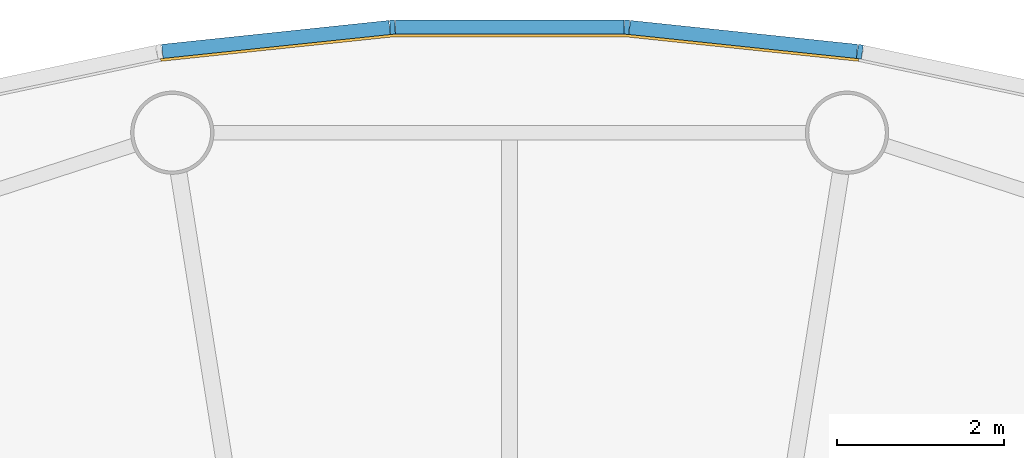
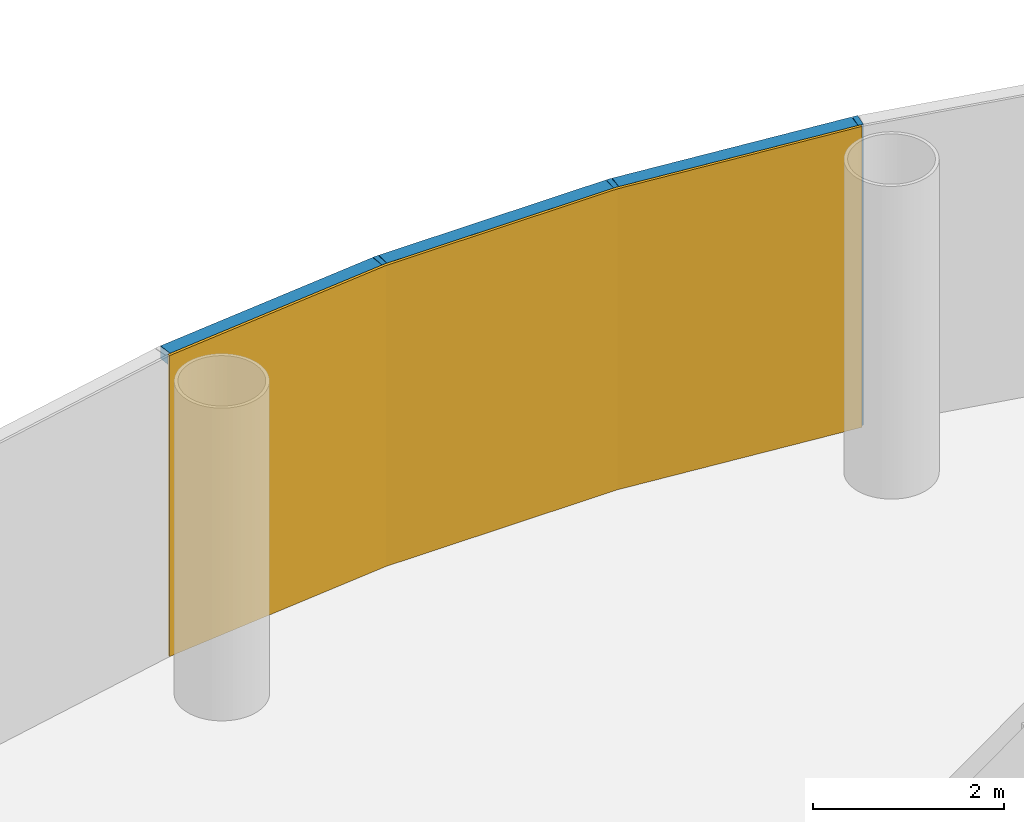
# One storey, part 10 of 12: 6 members, 1 curtain wall.
"""IFC4 building model written with IfcOpenShell, lengths in metres."""

import ifcopenshell
import ifcopenshell.guid

model = None  # the IFC model being written
_history = None  # IfcOwnerHistory: only IFC2X3 demands one
_inside = {}  # id of a spatial element -> (the spatial element, [elements in it])
_under = {}  # id of a project, library or spatial element -> (it, [spatial elements below it])
_declared = {}  # id of a project -> (the project, [libraries it declares])
_typed = {}  # id of a type object -> (the type object, [elements of that type])
_made_of = {}  # id of a material, layer set ... -> (it, [elements and type objects made of it])


def new_model(schema):
    """Start an empty IFC model of exactly this schema.

    Asked for "IFC4X3", IfcOpenShell would pick the latest addendum, in which some entities
    have other attributes; the version numbers below select the first issue.
    IFC2X3 requires an IfcOwnerHistory on every rooted entity: one is made here for all.
    """
    global model, _history
    if schema == "IFC4X3":
        model = ifcopenshell.file(schema_version=(4, 3, 0, 0))
    else:
        model = ifcopenshell.file(schema=schema)
    _inside.clear()
    _under.clear()
    _declared.clear()
    _typed.clear()
    _made_of.clear()
    _history = None
    if model.schema == "IFC2X3":
        org = make("IfcOrganization", Name="unknown")
        user = make(
            "IfcPersonAndOrganization",
            ThePerson=make("IfcPerson", FamilyName="unknown"),
            TheOrganization=org,
        )
        app = make(
            "IfcApplication",
            ApplicationDeveloper=org,
            Version="unknown",
            ApplicationFullName="unknown",
            ApplicationIdentifier="unknown",
        )
        _history = make(
            "IfcOwnerHistory",
            OwningUser=user,
            OwningApplication=app,
            ChangeAction="ADDED",
            CreationDate=0,
        )
    return model


def make(cls, **values):
    """One entity of the class cls with the attributes given. An attribute that is None is left unset."""
    return model.create_entity(
        cls, **{name: value for name, value in values.items() if value is not None}
    )


def rooted(cls, **values):
    """An entity with a GlobalId (a new one), such as an element, a storey or a relation."""
    return make(cls, GlobalId=ifcopenshell.guid.new(), OwnerHistory=_history, **values)


def si_unit(unit_type, name, prefix=None):
    """IfcSIUnit, for example si_unit("LENGTHUNIT", "METRE", prefix="MILLI")."""
    return make("IfcSIUnit", UnitType=unit_type, Prefix=prefix, Name=name)


def assignment(units):
    """IfcUnitAssignment: the units of a project."""
    return None if units is None else make("IfcUnitAssignment", Units=units)


def point(xyz):
    """IfcCartesianPoint."""
    return None if xyz is None else make("IfcCartesianPoint", Coordinates=xyz)


def direction(xyz):
    """IfcDirection."""
    return None if xyz is None else make("IfcDirection", DirectionRatios=xyz)


def frame(location, z_axis=None, x_axis=None):
    """IfcAxis2Placement3D, a coordinate frame: its origin and axes. An axis left out is left unset."""
    return make(
        "IfcAxis2Placement3D",
        Location=point(location),
        Axis=direction(z_axis),
        RefDirection=direction(x_axis),
    )


def frame_2d(location, x_axis=None):
    """IfcAxis2Placement2D, a coordinate frame in the plane: its origin and x axis."""
    return make(
        "IfcAxis2Placement2D", Location=point(location), RefDirection=direction(x_axis)
    )


def origin():
    """The frame at (0, 0, 0) with its axes left unset."""
    return frame((0.0, 0.0, 0.0))


def origin_2d():
    """The frame at (0, 0) in the plane with its x axis left unset."""
    return frame_2d((0.0, 0.0))


def place(relative_to, where):
    """IfcLocalPlacement: puts the frame where relative to a parent placement (None: the world)."""
    return make(
        "IfcLocalPlacement", PlacementRelTo=relative_to, RelativePlacement=where
    )


def context(
    kind, dimensions, precision=None, world=None, true_north=None, identifier=None
):
    """IfcGeometricRepresentationContext, for example the 3D "Model" context."""
    return make(
        "IfcGeometricRepresentationContext",
        ContextIdentifier=identifier,
        ContextType=kind,
        CoordinateSpaceDimension=dimensions,
        Precision=precision,
        WorldCoordinateSystem=world,
        TrueNorth=true_north,
    )


def subcontext(parent, identifier, kind, view, scale=None):
    """IfcGeometricRepresentationSubContext, for example "Body" below "Model"."""
    return make(
        "IfcGeometricRepresentationSubContext",
        ContextIdentifier=identifier,
        ContextType=kind,
        ParentContext=parent,
        TargetScale=scale,
        TargetView=view,
    )


def project(units=None, contexts=None):
    """IfcProject with its units and contexts."""
    return rooted(
        "IfcProject",
        Name="project",
        RepresentationContexts=contexts,
        UnitsInContext=assignment(units),
    )


def spatial(cls, under=None, at=None, **own):
    """A site, building, storey or space (cls), placed at a placement, below another one or the project."""
    s = rooted(cls, ObjectPlacement=at, **own)
    if under is not None:
        _under.setdefault(under.id(), (under, []))[1].append(s)
    return s


def polyline(points):
    """IfcPolyline through the points."""
    return make("IfcPolyline", Points=[point(p) for p in points])


def profile(cls, at=None, kind="AREA", **sizes):
    """A parametric profile (cls). Its sizes go by their IFC names, for example OverallWidth=200.0."""
    return make(cls, ProfileType=kind, Position=at, **sizes)


def rectangle(**sizes):
    """IfcRectangleProfileDef."""
    return profile("IfcRectangleProfileDef", **sizes)


def outline(outer, holes=None, kind="AREA"):
    """IfcArbitraryClosedProfileDef: a profile drawn as a closed curve; with holes, ...WithVoids."""
    if holes is None:
        return make("IfcArbitraryClosedProfileDef", ProfileType=kind, OuterCurve=outer)
    return make(
        "IfcArbitraryProfileDefWithVoids",
        ProfileType=kind,
        OuterCurve=outer,
        InnerCurves=holes,
    )


def extrude(swept, where, along, depth):
    """IfcExtrudedAreaSolid: the profile swept, set in the frame where, extruded along a direction by depth."""
    return make(
        "IfcExtrudedAreaSolid",
        SweptArea=swept,
        Position=where,
        ExtrudedDirection=direction(along),
        Depth=depth,
    )


def shape(context_of_items, identifier, shape_type, items):
    """IfcShapeRepresentation: the items that make up one representation, for example the "Body"."""
    return make(
        "IfcShapeRepresentation",
        ContextOfItems=context_of_items,
        RepresentationIdentifier=identifier,
        RepresentationType=shape_type,
        Items=items,
    )


def material(Name=None, Category=None):
    """IfcMaterial."""
    return make("IfcMaterial", Name=Name, Category=Category)


def layer(
    of_material, thickness, ventilated=None, Name=None, Category=None, Priority=None
):
    """IfcMaterialLayer: one layer of a wall or slab, of a material (None: an air gap)."""
    return make(
        "IfcMaterialLayer",
        Material=of_material,
        LayerThickness=thickness,
        IsVentilated=ventilated,
        Name=Name,
        Category=Category,
        Priority=Priority,
    )


def layer_set(layers, Name=None):
    """IfcMaterialLayerSet."""
    return make("IfcMaterialLayerSet", MaterialLayers=layers, LayerSetName=Name)


def material_profile(
    of_material, cross_section, Name=None, Category=None, Priority=None
):
    """IfcMaterialProfile: a cross section and its material."""
    return make(
        "IfcMaterialProfile",
        Name=Name,
        Material=of_material,
        Profile=cross_section,
        Priority=Priority,
        Category=Category,
    )


def profile_set(profiles, Name=None, composite=None):
    """IfcMaterialProfileSet."""
    return make(
        "IfcMaterialProfileSet",
        Name=Name,
        MaterialProfiles=profiles,
        CompositeProfile=composite,
    )


def made_of(thing, what):
    """Note that an element or type object is made of a material, layer set ...; save() writes the relation."""
    if what is not None:
        _made_of.setdefault(what.id(), (what, []))[1].append(thing)
    return thing


def type_object(cls, material=None, **own):
    """A type object (cls), such as IfcWallType, which elements share."""
    return made_of(rooted(cls, **own), material)


def element(
    cls,
    number,
    at=None,
    inside=None,
    cuts=None,
    type_object=None,
    material=None,
    context=None,
    identifier="Body",
    shape_type=None,
    held_by="IfcProductDefinitionShape",
    body=None,
    shapes=None,
    **own,
):
    """One element of the class cls, such as IfcWall. Its Tag is "e" and its number.

    at: its placement. inside: the storey or other place that contains it. cuts: it is an
    opening in that element (IfcRelVoidsElement). A single representation is given by context,
    identifier, shape_type and body (its items); several are given by shapes. held_by: the class
    of the entity that holds the representations. save() writes the other relations.
    """
    e = rooted(cls, Tag="e%d" % number, ObjectPlacement=at, **own)
    if body is not None:
        shapes = [shape(context, identifier, shape_type, body)]
    if shapes is not None:
        e.Representation = make(held_by, Representations=shapes)
    if inside is not None:
        _inside.setdefault(inside.id(), (inside, []))[1].append(e)
    if cuts is not None:
        rooted(
            "IfcRelVoidsElement", RelatingBuildingElement=cuts, RelatedOpeningElement=e
        )
    if type_object is not None:
        _typed.setdefault(type_object.id(), (type_object, []))[1].append(e)
    return made_of(e, material)


def aggregate(whole, parts):
    """IfcRelAggregates: a whole, such as a stair, and the parts it consists of."""
    return rooted("IfcRelAggregates", RelatingObject=whole, RelatedObjects=parts)


def save(model, path):
    """Write the relations noted so far, then the file.

    IfcRelAggregates (storeys below a building ...), IfcRelContainedInSpatialStructure (elements
    in a storey), IfcRelDefinesByType, IfcRelAssociatesMaterial and IfcRelDeclares: one each for
    every whole, place, type object, material and project.
    """
    for whole, parts in _under.values():
        aggregate(whole, parts)
    for where, things in _inside.values():
        rooted(
            "IfcRelContainedInSpatialStructure",
            RelatedElements=things,
            RelatingStructure=where,
        )
    for kind, things in _typed.values():
        rooted("IfcRelDefinesByType", RelatedObjects=things, RelatingType=kind)
    for what, things in _made_of.values():
        rooted("IfcRelAssociatesMaterial", RelatedObjects=things, RelatingMaterial=what)
    for by, libraries in _declared.values():
        rooted("IfcRelDeclares", RelatingContext=by, RelatedDefinitions=libraries)
    model.write(path)


model = new_model("IFC4")

# Units and contexts
model_context = context("Model", 3, precision=1e-05, world=origin(), true_north=direction((0.0, 1.0)))
body_context = subcontext(model_context, "Body", "Model", "MODEL_VIEW")
ifc_project = project(units=[si_unit("LENGTHUNIT", "METRE"), si_unit("AREAUNIT", "SQUARE_METRE"), si_unit("VOLUMEUNIT", "CUBIC_METRE"), si_unit("PLANEANGLEUNIT", "RADIAN"), si_unit("MASSUNIT", "GRAM", prefix="KILO")], contexts=[model_context])

# Member
ifc_material_1 = material(Name="Anodised aluminium", Category="aluminium")
ifc_material_profile_1 = material_profile(ifc_material_1, rectangle(XDim=0.06005859375, YDim=0.169921875, at=origin_2d()), Name="Mullion 60 x 170 mm anodised aluminium")
ifc_profile_set_1 = profile_set([ifc_material_profile_1], Name="Anodised aluminium")
member_type_1 = type_object("IfcMemberType", Name="Mullion 60 x 170 mm anodised aluminium", PredefinedType="MULLION", material=ifc_profile_set_1)
site_placement = place(None, origin())
building_placement = place(site_placement, origin())
storey_placement = place(building_placement, frame((0.0, 0.0, 254.0)))
member_1_placement = place(storey_placement, frame((94.205810546875, 106.553955078125, 0.0), z_axis=(0.0, 0.0, 1.0), x_axis=(-0.987688340595, 0.15643446504, 0.0)))
member_1 = element("IfcMember", 1, at=member_1_placement, type_object=member_type_1, Name="MULLION L58-12", PredefinedType="MULLION", context=body_context, shape_type="SweptSolid", body=[
    extrude(rectangle(XDim=0.06005859375, YDim=0.169921875, at=origin_2d()), origin(), (0.0, 0.0, 1.0), 3.85009765625),
])

member_2_placement = place(storey_placement, frame((91.406982421875, 106.84814453125, 0.0), z_axis=(0.0, 0.0, 1.0), x_axis=(-0.998629534755, 0.052335956243, 0.0)))
member_2 = element("IfcMember", 2, at=member_2_placement, type_object=member_type_1, Name="MULLION L58-13", PredefinedType="MULLION", context=body_context, shape_type="SweptSolid", body=[
    extrude(rectangle(XDim=0.06005859375, YDim=0.169921875, at=origin_2d()), origin(), (0.0, 0.0, 1.0), 3.85009765625),
])

member_3_placement = place(storey_placement, frame((88.593017578125, 106.84814453125, 0.0), z_axis=(0.0, 0.0, 1.0), x_axis=(-0.998629534755, -0.052335956243, 0.0)))
member_3 = element("IfcMember", 3, at=member_3_placement, type_object=member_type_1, Name="MULLION L58-14", PredefinedType="MULLION", context=body_context, shape_type="SweptSolid", body=[
    extrude(rectangle(XDim=0.06005859375, YDim=0.169921875, at=origin_2d()), origin(), (0.0, 0.0, 1.0), 3.85009765625),
])

ifc_material_2 = material(Name="Anodised aluminium", Category="aluminium")
ifc_material_profile_2 = material_profile(ifc_material_2, rectangle(XDim=0.169921875, YDim=0.1650390625, at=origin_2d()), Name="Transom 165 x 170 mm anodised aluminium")
ifc_profile_set_2 = profile_set([ifc_material_profile_2], Name="Anodised aluminium")
member_type_2 = type_object("IfcMemberType", Name="Transom 165 x 170 mm anodised aluminium", PredefinedType="USERDEFINED", material=ifc_profile_set_2)
member_4_placement = place(storey_placement, frame((94.17138671875, 106.5576171875, 3.767578125), z_axis=(-0.994515195344, 0.104592190102, 0.0), x_axis=(-0.104592190102, -0.994515195344, 0.0)))
member_4 = element("IfcMember", 4, at=member_4_placement, type_object=member_type_2, Name="TRANSOM L58-12", ObjectType="TRANSOM", PredefinedType="USERDEFINED", context=body_context, shape_type="SweptSolid", body=[
    extrude(rectangle(XDim=0.169921875, YDim=0.1650390625, at=origin_2d()), origin(), (0.0, 0.0, 1.0), 2.7451171875),
])

member_5_placement = place(storey_placement, frame((91.37255859375, 106.848388671875, 3.767578125), z_axis=(-1.0, 0.0, 0.0), x_axis=(0.0, -1.0, 0.0)))
member_5 = element("IfcMember", 5, at=member_5_placement, type_object=member_type_2, Name="TRANSOM L58-13", ObjectType="TRANSOM", PredefinedType="USERDEFINED", context=body_context, shape_type="SweptSolid", body=[
    extrude(rectangle(XDim=0.169921875, YDim=0.1650390625, at=origin_2d()), origin(), (0.0, 0.0, 1.0), 2.7451171875),
])

member_6_placement = place(storey_placement, frame((88.55859375, 106.8447265625, 3.767578125), z_axis=(-0.994515195344, -0.104592190102, 0.0), x_axis=(0.104592190102, -0.994515195344, 0.0)))
member_6 = element("IfcMember", 6, at=member_6_placement, type_object=member_type_2, Name="TRANSOM L58-14", ObjectType="TRANSOM", PredefinedType="USERDEFINED", context=body_context, shape_type="SweptSolid", body=[
    extrude(rectangle(XDim=0.169921875, YDim=0.1650390625, at=origin_2d()), origin(), (0.0, 0.0, 1.0), 2.7451171875),
])

# Site, building, storey
site = spatial("IfcSite", under=ifc_project, at=site_placement, CompositionType="ELEMENT")
building = spatial("IfcBuilding", under=site, at=building_placement, Name="Entoto Ring Tower", CompositionType="ELEMENT")
storey = spatial("IfcBuildingStorey", under=building, at=storey_placement, Name="L58", CompositionType="ELEMENT", Elevation=254.0)

# Curtain wall
ifc_material_3 = material(Name="Clear low-iron glass", Category="glass")
ifc_layer = layer(ifc_material_3, 0.031982421875)
ifc_layer_set = layer_set([ifc_layer], Name="Clear low-iron glass")
curtain_wall_type = type_object("IfcCurtainWallType", Name="Curtain wall system CW4 glazing 32 mm", PredefinedType="NOTDEFINED", material=ifc_layer_set)
curtain_wall_placement = place(storey_placement, origin())
curtain_wall = element("IfcCurtainWall", 7, at=curtain_wall_placement, inside=storey, type_object=curtain_wall_type, Name="CW4 L58-05", PredefinedType="NOTDEFINED", context=body_context, shape_type="SweptSolid", body=[
    extrude(outline(polyline([(94.1923828125, 106.469970703125), (91.402587890625, 106.76318359375), (88.597412109375, 106.76318359375), (85.8076171875, 106.469970703125), (85.8125, 106.4384765625), (88.59912109375, 106.731201171875), (91.40087890625, 106.731201171875), (94.1875, 106.4384765625), (94.1923828125, 106.469970703125)])), origin(), (0.0, 0.0, 1.0), 3.85009765625),
])

aggregate(curtain_wall, [member_1, member_2, member_3, member_4, member_5, member_6])

save(model, "model.ifc")
